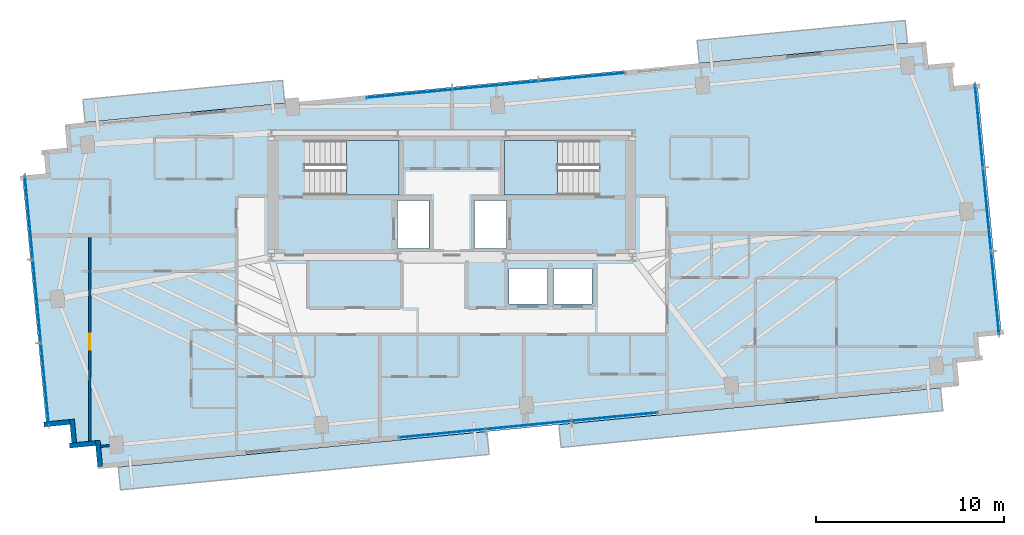
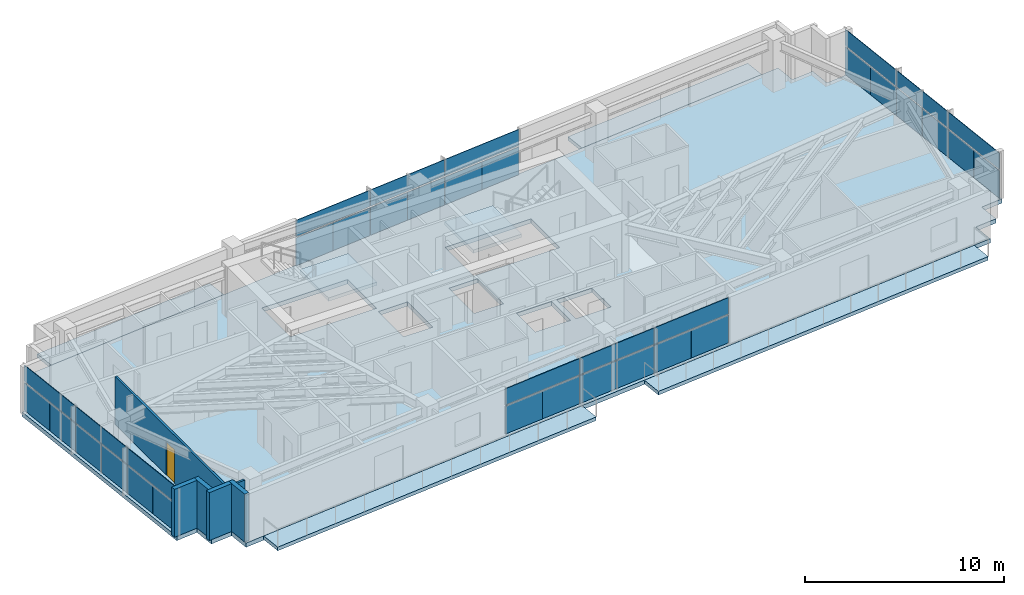
# One storey, part 12 of 18: 36 plates, 7 slabs, 6 walls, 1 door, 1 opening, 6 elements without a shape of their own.
"""IFC4 building model written with IfcOpenShell, lengths in metres."""

import ifcopenshell
import ifcopenshell.guid

model = None  # the IFC model being written
_history = None  # IfcOwnerHistory: only IFC2X3 demands one
_inside = {}  # id of a spatial element -> (the spatial element, [elements in it])
_under = {}  # id of a project, library or spatial element -> (it, [spatial elements below it])
_declared = {}  # id of a project -> (the project, [libraries it declares])
_typed = {}  # id of a type object -> (the type object, [elements of that type])
_made_of = {}  # id of a material, layer set ... -> (it, [elements and type objects made of it])


def new_model(schema):
    """Start an empty IFC model of exactly this schema.

    Asked for "IFC4X3", IfcOpenShell would pick the latest addendum, in which some entities
    have other attributes; the version numbers below select the first issue.
    IFC2X3 requires an IfcOwnerHistory on every rooted entity: one is made here for all.
    """
    global model, _history
    if schema == "IFC4X3":
        model = ifcopenshell.file(schema_version=(4, 3, 0, 0))
    else:
        model = ifcopenshell.file(schema=schema)
    _inside.clear()
    _under.clear()
    _declared.clear()
    _typed.clear()
    _made_of.clear()
    _history = None
    if model.schema == "IFC2X3":
        org = make("IfcOrganization", Name="unknown")
        user = make(
            "IfcPersonAndOrganization",
            ThePerson=make("IfcPerson", FamilyName="unknown"),
            TheOrganization=org,
        )
        app = make(
            "IfcApplication",
            ApplicationDeveloper=org,
            Version="unknown",
            ApplicationFullName="unknown",
            ApplicationIdentifier="unknown",
        )
        _history = make(
            "IfcOwnerHistory",
            OwningUser=user,
            OwningApplication=app,
            ChangeAction="ADDED",
            CreationDate=0,
        )
    return model


def make(cls, **values):
    """One entity of the class cls with the attributes given. An attribute that is None is left unset."""
    return model.create_entity(
        cls, **{name: value for name, value in values.items() if value is not None}
    )


def rooted(cls, **values):
    """An entity with a GlobalId (a new one), such as an element, a storey or a relation."""
    return make(cls, GlobalId=ifcopenshell.guid.new(), OwnerHistory=_history, **values)


def si_unit(unit_type, name, prefix=None):
    """IfcSIUnit, for example si_unit("LENGTHUNIT", "METRE", prefix="MILLI")."""
    return make("IfcSIUnit", UnitType=unit_type, Prefix=prefix, Name=name)


def assignment(units):
    """IfcUnitAssignment: the units of a project."""
    return None if units is None else make("IfcUnitAssignment", Units=units)


def point(xyz):
    """IfcCartesianPoint."""
    return None if xyz is None else make("IfcCartesianPoint", Coordinates=xyz)


def direction(xyz):
    """IfcDirection."""
    return None if xyz is None else make("IfcDirection", DirectionRatios=xyz)


def frame(location, z_axis=None, x_axis=None):
    """IfcAxis2Placement3D, a coordinate frame: its origin and axes. An axis left out is left unset."""
    return make(
        "IfcAxis2Placement3D",
        Location=point(location),
        Axis=direction(z_axis),
        RefDirection=direction(x_axis),
    )


def frame_2d(location, x_axis=None):
    """IfcAxis2Placement2D, a coordinate frame in the plane: its origin and x axis."""
    return make(
        "IfcAxis2Placement2D", Location=point(location), RefDirection=direction(x_axis)
    )


def origin():
    """The frame at (0, 0, 0) with its axes left unset."""
    return frame((0.0, 0.0, 0.0))


def origin_2d():
    """The frame at (0, 0) in the plane with its x axis left unset."""
    return frame_2d((0.0, 0.0))


def place(relative_to, where):
    """IfcLocalPlacement: puts the frame where relative to a parent placement (None: the world)."""
    return make(
        "IfcLocalPlacement", PlacementRelTo=relative_to, RelativePlacement=where
    )


def context(
    kind, dimensions, precision=None, world=None, true_north=None, identifier=None
):
    """IfcGeometricRepresentationContext, for example the 3D "Model" context."""
    return make(
        "IfcGeometricRepresentationContext",
        ContextIdentifier=identifier,
        ContextType=kind,
        CoordinateSpaceDimension=dimensions,
        Precision=precision,
        WorldCoordinateSystem=world,
        TrueNorth=true_north,
    )


def subcontext(parent, identifier, kind, view, scale=None):
    """IfcGeometricRepresentationSubContext, for example "Body" below "Model"."""
    return make(
        "IfcGeometricRepresentationSubContext",
        ContextIdentifier=identifier,
        ContextType=kind,
        ParentContext=parent,
        TargetScale=scale,
        TargetView=view,
    )


def project(units=None, contexts=None):
    """IfcProject with its units and contexts."""
    return rooted(
        "IfcProject",
        Name="project",
        RepresentationContexts=contexts,
        UnitsInContext=assignment(units),
    )


def spatial(cls, under=None, at=None, **own):
    """A site, building, storey or space (cls), placed at a placement, below another one or the project."""
    s = rooted(cls, ObjectPlacement=at, **own)
    if under is not None:
        _under.setdefault(under.id(), (under, []))[1].append(s)
    return s


def polyline(points):
    """IfcPolyline through the points."""
    return make("IfcPolyline", Points=[point(p) for p in points])


def profile(cls, at=None, kind="AREA", **sizes):
    """A parametric profile (cls). Its sizes go by their IFC names, for example OverallWidth=200.0."""
    return make(cls, ProfileType=kind, Position=at, **sizes)


def rectangle(**sizes):
    """IfcRectangleProfileDef."""
    return profile("IfcRectangleProfileDef", **sizes)


def outline(outer, holes=None, kind="AREA"):
    """IfcArbitraryClosedProfileDef: a profile drawn as a closed curve; with holes, ...WithVoids."""
    if holes is None:
        return make("IfcArbitraryClosedProfileDef", ProfileType=kind, OuterCurve=outer)
    return make(
        "IfcArbitraryProfileDefWithVoids",
        ProfileType=kind,
        OuterCurve=outer,
        InnerCurves=holes,
    )


def extrude(swept, where, along, depth):
    """IfcExtrudedAreaSolid: the profile swept, set in the frame where, extruded along a direction by depth."""
    return make(
        "IfcExtrudedAreaSolid",
        SweptArea=swept,
        Position=where,
        ExtrudedDirection=direction(along),
        Depth=depth,
    )


def shape(context_of_items, identifier, shape_type, items):
    """IfcShapeRepresentation: the items that make up one representation, for example the "Body"."""
    return make(
        "IfcShapeRepresentation",
        ContextOfItems=context_of_items,
        RepresentationIdentifier=identifier,
        RepresentationType=shape_type,
        Items=items,
    )


def source(mapping_origin, context_of_items, identifier, shape_type, items):
    """IfcRepresentationMap: a shape defined once, which mapped items show again and again."""
    return make(
        "IfcRepresentationMap",
        MappingOrigin=mapping_origin,
        MappedRepresentation=shape(context_of_items, identifier, shape_type, items),
    )


def transform(
    local_origin,
    x_axis=None,
    y_axis=None,
    z_axis=None,
    scale=None,
    scale2=None,
    scale3=None,
    uniform=True,
):
    """IfcCartesianTransformationOperator3D, or its non-uniform kind. x_axis, y_axis, z_axis: its Axis1, 2, 3."""
    if uniform:
        return make(
            "IfcCartesianTransformationOperator3D",
            Axis1=direction(x_axis),
            Axis2=direction(y_axis),
            LocalOrigin=point(local_origin),
            Scale=scale,
            Axis3=direction(z_axis),
        )
    return make(
        "IfcCartesianTransformationOperator3DnonUniform",
        Axis1=direction(x_axis),
        Axis2=direction(y_axis),
        LocalOrigin=point(local_origin),
        Scale=scale,
        Axis3=direction(z_axis),
        Scale2=scale2,
        Scale3=scale3,
    )


def mapped(mapping_source, mapping_target):
    """IfcMappedItem: shows the shape of a source again, moved by a transform."""
    return make(
        "IfcMappedItem", MappingSource=mapping_source, MappingTarget=mapping_target
    )


def material(Name=None, Category=None):
    """IfcMaterial."""
    return make("IfcMaterial", Name=Name, Category=Category)


def layer(
    of_material, thickness, ventilated=None, Name=None, Category=None, Priority=None
):
    """IfcMaterialLayer: one layer of a wall or slab, of a material (None: an air gap)."""
    return make(
        "IfcMaterialLayer",
        Material=of_material,
        LayerThickness=thickness,
        IsVentilated=ventilated,
        Name=Name,
        Category=Category,
        Priority=Priority,
    )


def layer_set(layers, Name=None):
    """IfcMaterialLayerSet."""
    return make("IfcMaterialLayerSet", MaterialLayers=layers, LayerSetName=Name)


def made_of(thing, what):
    """Note that an element or type object is made of a material, layer set ...; save() writes the relation."""
    if what is not None:
        _made_of.setdefault(what.id(), (what, []))[1].append(thing)
    return thing


def type_object(cls, material=None, **own):
    """A type object (cls), such as IfcWallType, which elements share."""
    return made_of(rooted(cls, **own), material)


def type_shapes(of_type, sources):
    """Give a type object the sources (RepresentationMaps) that its elements show as mapped items."""
    of_type.RepresentationMaps = sources


def element(
    cls,
    number,
    at=None,
    inside=None,
    cuts=None,
    type_object=None,
    material=None,
    context=None,
    identifier="Body",
    shape_type=None,
    held_by="IfcProductDefinitionShape",
    body=None,
    shapes=None,
    **own,
):
    """One element of the class cls, such as IfcWall. Its Tag is "e" and its number.

    at: its placement. inside: the storey or other place that contains it. cuts: it is an
    opening in that element (IfcRelVoidsElement). A single representation is given by context,
    identifier, shape_type and body (its items); several are given by shapes. held_by: the class
    of the entity that holds the representations. save() writes the other relations.
    """
    e = rooted(cls, Tag="e%d" % number, ObjectPlacement=at, **own)
    if body is not None:
        shapes = [shape(context, identifier, shape_type, body)]
    if shapes is not None:
        e.Representation = make(held_by, Representations=shapes)
    if inside is not None:
        _inside.setdefault(inside.id(), (inside, []))[1].append(e)
    if cuts is not None:
        rooted(
            "IfcRelVoidsElement", RelatingBuildingElement=cuts, RelatedOpeningElement=e
        )
    if type_object is not None:
        _typed.setdefault(type_object.id(), (type_object, []))[1].append(e)
    return made_of(e, material)


def fill(opening, filler):
    """IfcRelFillsElement: the door or window that sits in an opening."""
    return rooted(
        "IfcRelFillsElement",
        RelatingOpeningElement=opening,
        RelatedBuildingElement=filler,
    )


def aggregate(whole, parts):
    """IfcRelAggregates: a whole, such as a stair, and the parts it consists of."""
    return rooted("IfcRelAggregates", RelatingObject=whole, RelatedObjects=parts)


def save(model, path):
    """Write the relations noted so far, then the file.

    IfcRelAggregates (storeys below a building ...), IfcRelContainedInSpatialStructure (elements
    in a storey), IfcRelDefinesByType, IfcRelAssociatesMaterial and IfcRelDeclares: one each for
    every whole, place, type object, material and project.
    """
    for whole, parts in _under.values():
        aggregate(whole, parts)
    for where, things in _inside.values():
        rooted(
            "IfcRelContainedInSpatialStructure",
            RelatedElements=things,
            RelatingStructure=where,
        )
    for kind, things in _typed.values():
        rooted("IfcRelDefinesByType", RelatedObjects=things, RelatingType=kind)
    for what, things in _made_of.values():
        rooted("IfcRelAssociatesMaterial", RelatedObjects=things, RelatingMaterial=what)
    for by, libraries in _declared.values():
        rooted("IfcRelDeclares", RelatingContext=by, RelatedDefinitions=libraries)
    model.write(path)


model = new_model("IFC4")

# Units and contexts
model_context = context("Model", 3, precision=1e-05, world=origin(), true_north=direction((0.0, 1.0)))
body_context = subcontext(model_context, "Body", "Model", "MODEL_VIEW")
ifc_project = project(units=[si_unit("LENGTHUNIT", "METRE"), si_unit("AREAUNIT", "SQUARE_METRE"), si_unit("VOLUMEUNIT", "CUBIC_METRE"), si_unit("PLANEANGLEUNIT", "RADIAN"), si_unit("MASSUNIT", "GRAM", prefix="KILO")], contexts=[model_context])

# Site, building, storey
site_placement = place(None, origin())
site = spatial("IfcSite", under=ifc_project, at=site_placement, CompositionType="ELEMENT")
building_placement = place(site_placement, origin())
building = spatial("IfcBuilding", under=site, at=building_placement, Name="Astriad Promenade Condominiums", CompositionType="ELEMENT")
storey_placement = place(building_placement, frame((0.0, 0.0, 205.0)))
storey = spatial("IfcBuildingStorey", under=building, at=storey_placement, Name="L59", CompositionType="ELEMENT", Elevation=205.0)

# Slab
ifc_material_1 = material(Name="Concrete C50/60", Category="concrete")
ifc_layer_1 = layer(ifc_material_1, 0.260009765625)
ifc_layer_set_1 = layer_set([ifc_layer_1], Name="Concrete C50/60")
slab_type_1 = type_object("IfcSlabType", Name="CONCRETE TOWER FLOOR SLAB 260", PredefinedType="FLOOR", material=ifc_layer_set_1)
slab_1_placement = place(storey_placement, frame((0.0, 0.0, -0.260009765625)))
element("IfcSlab", 1, at=slab_1_placement, inside=storey, type_object=slab_type_1, Name="Structural Floor Slab (L59)", PredefinedType="FLOOR", context=body_context, shape_type="SweptSolid", body=[
    extrude(outline(polyline([(17.187744140625, 6.137939453125), (62.975830078125, 10.546875), (62.856201171875, 11.791015625), (64.100341796875, 11.910888671875), (63.98046875, 13.155029296875), (65.224853515625, 13.27490234375), (63.9404296875, 26.61328125), (62.6962890625, 26.493408203125), (62.576416015625, 27.73779296875), (61.33203125, 27.617919921875), (61.21240234375, 28.862060546875), (15.424072265625, 24.453125), (15.5439453125, 23.208984375), (14.2998046875, 23.089111328125), (14.41943359375, 21.844970703125), (13.17529296875, 21.72509765625), (14.459716796875, 8.38671875), (15.703857421875, 8.506591796875), (15.823486328125, 7.26220703125), (17.06787109375, 7.382080078125), (17.187744140625, 6.137939453125)]), holes=[polyline([(28.175048828125, 20.699951171875), (33.175048828125, 20.699951171875), (33.175048828125, 23.60009765625), (28.175048828125, 23.60009765625), (28.175048828125, 20.699951171875)]), polyline([(38.824951171875, 20.699951171875), (43.824951171875, 20.699951171875), (43.824951171875, 23.60009765625), (38.824951171875, 23.60009765625), (38.824951171875, 20.699951171875)]), polyline([(33.10009765625, 17.85009765625), (34.800048828125, 17.85009765625), (34.800048828125, 20.39990234375), (33.10009765625, 20.39990234375), (33.10009765625, 17.85009765625)]), polyline([(37.199951171875, 17.85009765625), (38.89990234375, 17.85009765625), (38.89990234375, 20.39990234375), (37.199951171875, 20.39990234375), (37.199951171875, 17.85009765625)]), polyline([(39.050048828125, 14.89990234375), (41.10009765625, 14.89990234375), (41.10009765625, 16.800048828125), (39.050048828125, 16.800048828125), (39.050048828125, 14.89990234375)]), polyline([(41.39990234375, 14.89990234375), (43.449951171875, 14.89990234375), (43.449951171875, 16.800048828125), (41.39990234375, 16.800048828125), (41.39990234375, 14.89990234375)])]), origin(), (0.0, 0.0, 1.0), 0.260009765625),
])

# Stair, slab
stair_type = type_object("IfcStairType", Name="STR-CORE-1350", PredefinedType="HALF_TURN_STAIR", material=ifc_material_1)
stair_1_placement = place(storey_placement, origin())
stair_1 = element("IfcStair", 2, at=stair_1_placement, inside=storey, type_object=stair_type, Name="L59 Enclosed Core Exit Stair ST-1", PredefinedType="HALF_TURN_STAIR")
ifc_layer_2 = layer(ifc_material_1, 0.219970703125)
ifc_layer_set_2 = layer_set([ifc_layer_2], Name="Concrete C50/60")
slab_type_2 = type_object("IfcSlabType", Name="SLB-LANDING-220", PredefinedType="LANDING", material=ifc_layer_set_2)
slab_2_placement = place(storey_placement, frame((0.0, 0.0, 1.39990234375)))
slab_2 = element("IfcSlab", 3, at=slab_2_placement, type_object=slab_type_2, Name="ST-1 landing 1", PredefinedType="LANDING", context=body_context, shape_type="SweptSolid", body=[
    extrude(outline(polyline([(30.389892578125, 20.699951171875), (33.199951171875, 20.699951171875), (33.199951171875, 23.60009765625), (30.389892578125, 23.60009765625), (30.389892578125, 20.699951171875)])), origin(), (0.0, 0.0, 1.0), 0.2001953125),
])
aggregate(stair_1, [slab_2])

stair_2_placement = place(storey_placement, origin())
stair_2 = element("IfcStair", 4, at=stair_2_placement, inside=storey, type_object=stair_type, Name="L59 Enclosed Core Exit Stair ST-2", PredefinedType="HALF_TURN_STAIR")
slab_3_placement = place(storey_placement, frame((0.0, 0.0, 1.39990234375)))
slab_3 = element("IfcSlab", 5, at=slab_3_placement, type_object=slab_type_2, Name="ST-2 landing 1", PredefinedType="LANDING", context=body_context, shape_type="SweptSolid", body=[
    extrude(outline(polyline([(41.610107421875, 23.60009765625), (38.800048828125, 23.60009765625), (38.800048828125, 20.699951171875), (41.610107421875, 20.699951171875), (41.610107421875, 23.60009765625)])), origin(), (0.0, 0.0, 1.0), 0.2001953125),
])
aggregate(stair_2, [slab_3])

# Slabs
ifc_material_2 = material(Name="Precast concrete C50/60", Category="concrete")
ifc_layer_3 = layer(ifc_material_2, 0.219970703125)
ifc_layer_set_3 = layer_set([ifc_layer_3], Name="Precast concrete C50/60")
slab_type_3 = type_object("IfcSlabType", Name="WHITE PRECAST CONCRETE WAVE BALCONY SLAB 220", PredefinedType="FLOOR", material=ifc_layer_set_3)
slab_4_placement = place(storey_placement, frame((0.0, 0.0, -0.219970703125)))
element("IfcSlab", 6, at=slab_4_placement, inside=storey, type_object=slab_type_3, Name="White Precast Wave Balcony Slab BAL-L59-SW", PredefinedType="FLOOR", context=body_context, shape_type="SweptSolid", body=[
    extrude(outline(polyline([(37.98193359375, 6.91455078125), (18.388671875, 5.02783203125), (18.27197265625, 6.240234375), (37.865234375, 8.126953125), (37.98193359375, 6.91455078125)])), origin(), (0.0, 0.0, 1.0), 0.219970703125),
])
slab_5_placement = place(storey_placement, frame((0.0, 0.0, -0.219970703125)))
element("IfcSlab", 7, at=slab_5_placement, inside=storey, type_object=slab_type_3, Name="White Precast Wave Balcony Slab BAL-L59-SE", PredefinedType="FLOOR", context=body_context, shape_type="SweptSolid", body=[
    extrude(outline(polyline([(62.099365234375, 9.23681640625), (41.809326171875, 7.283203125), (41.6923828125, 8.495361328125), (61.982666015625, 10.44921875), (62.099365234375, 9.23681640625)])), origin(), (0.0, 0.0, 1.0), 0.219970703125),
])
slab_6_placement = place(storey_placement, frame((0.0, 0.0, -0.219970703125)))
element("IfcSlab", 8, at=slab_6_placement, inside=storey, type_object=slab_type_3, Name="White Precast Wave Balcony Slab BAL-L59-NW", PredefinedType="FLOOR", context=body_context, shape_type="SweptSolid", body=[
    extrude(outline(polyline([(16.508056640625, 24.5576171875), (27.1201171875, 25.579345703125), (27.003173828125, 26.793701171875), (16.39111328125, 25.77197265625), (16.508056640625, 24.5576171875)])), origin(), (0.0, 0.0, 1.0), 0.219970703125),
])
slab_7_placement = place(storey_placement, frame((0.0, 0.0, -0.219970703125)))
element("IfcSlab", 9, at=slab_7_placement, inside=storey, type_object=slab_type_3, Name="White Precast Wave Balcony Slab BAL-L59-NE", PredefinedType="FLOOR", context=body_context, shape_type="SweptSolid", body=[
    extrude(outline(polyline([(49.041259765625, 28.915771484375), (60.10205078125, 29.980712890625), (60.21875, 28.768310546875), (49.157958984375, 27.703369140625), (49.041259765625, 28.915771484375)])), origin(), (0.0, 0.0, 1.0), 0.219970703125),
])

# Curtain wall, plates
ifc_material_3 = material(Name="Anodised aluminium Black Dark Glass Unitised", Category="aluminium")
curtain_wall_type = type_object("IfcCurtainWallType", Name="CW-B34-DARK", PredefinedType="USERDEFINED", material=ifc_material_3)
curtain_wall_1_placement = place(storey_placement, origin())
curtain_wall_1 = element("IfcCurtainWall", 10, at=curtain_wall_1_placement, inside=storey, type_object=curtain_wall_type, Name="CW-L59-W", ObjectType="UNITISED_CURTAIN_WALL", PredefinedType="USERDEFINED")
ifc_material_4 = material(Name="Dark Tinted Low-E Laminated Glass", Category="glass")
ifc_layer_4 = layer(ifc_material_4, 0.035888671875)
ifc_layer_set_4 = layer_set([ifc_layer_4], Name="Dark Tinted Low-E Laminated Glass")
plate_type = type_object("IfcPlateType", Name="PNL-DARK-GLASS-36", PredefinedType="CURTAIN_PANEL", material=ifc_layer_set_4)
shared_shape_1 = source(origin(), body_context, "Body", "SweptSolid", [
    extrude(rectangle(XDim=2.22119140625, YDim=0.035888671875, at=origin_2d()), origin(), (0.0, 0.0, 1.0), 1.702880859375),
])
plate_1_placement = place(storey_placement, frame((14.48193359375, 9.5107421875, 0.080078125), z_axis=(0.0, 0.0, 1.0), x_axis=(-0.09584575252, 0.995396198367, 0.0)))
plate_1 = element("IfcPlate", 11, at=plate_1_placement, type_object=plate_type, Name="CW-L59-W-PNL-00-VL", PredefinedType="CURTAIN_PANEL", context=body_context, shape_type="MappedRepresentation", body=[
    mapped(shared_shape_1, transform((0.0, 0.0, 0.0), scale=1.0)),
])
plate_2_placement = place(storey_placement, frame((14.267822265625, 11.73388671875, 0.080078125), z_axis=(0.0, 0.0, 1.0), x_axis=(-0.09584575252, 0.995396198367, 0.0)))
plate_2 = element("IfcPlate", 12, at=plate_2_placement, type_object=plate_type, Name="CW-L59-W-PNL-00-VR", PredefinedType="CURTAIN_PANEL", context=body_context, shape_type="MappedRepresentation", body=[
    mapped(shared_shape_1, transform((0.0, 0.0, 0.0), scale=1.0)),
])
plate_3_placement = place(storey_placement, frame((14.053955078125, 13.956787109375, 0.080078125), z_axis=(0.0, 0.0, 1.0), x_axis=(-0.09584575252, 0.995396198367, 0.0)))
plate_3 = element("IfcPlate", 13, at=plate_3_placement, type_object=plate_type, Name="CW-L59-W-PNL-01-VL", PredefinedType="CURTAIN_PANEL", context=body_context, shape_type="MappedRepresentation", body=[
    mapped(shared_shape_1, transform((0.0, 0.0, 0.0), scale=1.0)),
])
plate_4_placement = place(storey_placement, frame((13.839599609375, 16.179931640625, 0.080078125), z_axis=(0.0, 0.0, 1.0), x_axis=(-0.09584575252, 0.995396198367, 0.0)))
plate_4 = element("IfcPlate", 14, at=plate_4_placement, type_object=plate_type, Name="CW-L59-W-PNL-01-VR", PredefinedType="CURTAIN_PANEL", context=body_context, shape_type="MappedRepresentation", body=[
    mapped(shared_shape_1, transform((0.0, 0.0, 0.0), scale=1.0)),
])
plate_5_placement = place(storey_placement, frame((13.625732421875, 18.403076171875, 0.080078125), z_axis=(0.0, 0.0, 1.0), x_axis=(-0.09584575252, 0.995396198367, 0.0)))
plate_5 = element("IfcPlate", 15, at=plate_5_placement, type_object=plate_type, Name="CW-L59-W-PNL-02-VL", PredefinedType="CURTAIN_PANEL", context=body_context, shape_type="MappedRepresentation", body=[
    mapped(shared_shape_1, transform((0.0, 0.0, 0.0), scale=1.0)),
])
plate_6_placement = place(storey_placement, frame((13.41162109375, 20.626220703125, 0.080078125), z_axis=(0.0, 0.0, 1.0), x_axis=(-0.09584575252, 0.995396198367, 0.0)))
plate_6 = element("IfcPlate", 16, at=plate_6_placement, type_object=plate_type, Name="CW-L59-W-PNL-02-VR", PredefinedType="CURTAIN_PANEL", context=body_context, shape_type="MappedRepresentation", body=[
    mapped(shared_shape_1, transform((0.0, 0.0, 0.0), scale=1.0)),
])

curtain_wall_2_placement = place(storey_placement, origin())
curtain_wall_2 = element("IfcCurtainWall", 17, at=curtain_wall_2_placement, inside=storey, type_object=curtain_wall_type, Name="CW-L59-E", ObjectType="UNITISED_CURTAIN_WALL", PredefinedType="USERDEFINED")
plate_7_placement = place(storey_placement, frame((63.91796875, 25.4892578125, 0.080078125), z_axis=(0.0, 0.0, 1.0), x_axis=(0.09584575252, -0.995396198367, 0.0)))
plate_7 = element("IfcPlate", 18, at=plate_7_placement, type_object=plate_type, Name="CW-L59-E-PNL-00-VL", PredefinedType="CURTAIN_PANEL", context=body_context, shape_type="MappedRepresentation", body=[
    mapped(shared_shape_1, transform((0.0, 0.0, 0.0), scale=1.0)),
])
plate_8_placement = place(storey_placement, frame((64.132080078125, 23.26611328125, 0.080078125), z_axis=(0.0, 0.0, 1.0), x_axis=(0.09584575252, -0.995396198367, 0.0)))
plate_8 = element("IfcPlate", 19, at=plate_8_placement, type_object=plate_type, Name="CW-L59-E-PNL-00-VR", PredefinedType="CURTAIN_PANEL", context=body_context, shape_type="MappedRepresentation", body=[
    mapped(shared_shape_1, transform((0.0, 0.0, 0.0), scale=1.0)),
])
plate_9_placement = place(storey_placement, frame((64.34619140625, 21.043212890625, 0.080078125), z_axis=(0.0, 0.0, 1.0), x_axis=(0.09584575252, -0.995396198367, 0.0)))
plate_9 = element("IfcPlate", 20, at=plate_9_placement, type_object=plate_type, Name="CW-L59-E-PNL-01-VL", PredefinedType="CURTAIN_PANEL", context=body_context, shape_type="MappedRepresentation", body=[
    mapped(shared_shape_1, transform((0.0, 0.0, 0.0), scale=1.0)),
])
plate_10_placement = place(storey_placement, frame((64.560302734375, 18.820068359375, 0.080078125), z_axis=(0.0, 0.0, 1.0), x_axis=(0.09584575252, -0.995396198367, 0.0)))
plate_10 = element("IfcPlate", 21, at=plate_10_placement, type_object=plate_type, Name="CW-L59-E-PNL-01-VR", PredefinedType="CURTAIN_PANEL", context=body_context, shape_type="MappedRepresentation", body=[
    mapped(shared_shape_1, transform((0.0, 0.0, 0.0), scale=1.0)),
])
plate_11_placement = place(storey_placement, frame((64.7744140625, 16.596923828125, 0.080078125), z_axis=(0.0, 0.0, 1.0), x_axis=(0.09584575252, -0.995396198367, 0.0)))
plate_11 = element("IfcPlate", 22, at=plate_11_placement, type_object=plate_type, Name="CW-L59-E-PNL-02-VL", PredefinedType="CURTAIN_PANEL", context=body_context, shape_type="MappedRepresentation", body=[
    mapped(shared_shape_1, transform((0.0, 0.0, 0.0), scale=1.0)),
])
plate_12_placement = place(storey_placement, frame((64.98828125, 14.373779296875, 0.080078125), z_axis=(0.0, 0.0, 1.0), x_axis=(0.09584575252, -0.995396198367, 0.0)))
plate_12 = element("IfcPlate", 23, at=plate_12_placement, type_object=plate_type, Name="CW-L59-E-PNL-02-VR", PredefinedType="CURTAIN_PANEL", context=body_context, shape_type="MappedRepresentation", body=[
    mapped(shared_shape_1, transform((0.0, 0.0, 0.0), scale=1.0)),
])

# Plate
shared_shape_2 = source(origin(), body_context, "Body", "SweptSolid", [
    extrude(rectangle(XDim=4.45458984375, YDim=0.035888671875, at=origin_2d()), origin(), (0.0, 0.0, 1.0), 0.997314453125),
])
plate_13_placement = place(storey_placement, frame((14.375, 10.622314453125, 1.86279296875), z_axis=(0.0, 0.0, 1.0), x_axis=(-0.09584575252, 0.995396198367, 0.0)))
plate_13 = element("IfcPlate", 24, at=plate_13_placement, type_object=plate_type, Name="CW-L59-W-PNL-00-S", PredefinedType="CURTAIN_PANEL", context=body_context, shape_type="MappedRepresentation", body=[
    mapped(shared_shape_2, transform((0.0, 0.0, 0.0), scale=1.0)),
])

plate_14_placement = place(storey_placement, frame((13.94677734375, 15.068359375, 1.86279296875), z_axis=(0.0, 0.0, 1.0), x_axis=(-0.09584575252, 0.995396198367, 0.0)))
plate_14 = element("IfcPlate", 25, at=plate_14_placement, type_object=plate_type, Name="CW-L59-W-PNL-01-S", PredefinedType="CURTAIN_PANEL", context=body_context, shape_type="MappedRepresentation", body=[
    mapped(shared_shape_2, transform((0.0, 0.0, 0.0), scale=1.0)),
])

plate_15_placement = place(storey_placement, frame((13.518798828125, 19.514404296875, 1.86279296875), z_axis=(0.0, 0.0, 1.0), x_axis=(-0.09584575252, 0.995396198367, 0.0)))
plate_15 = element("IfcPlate", 26, at=plate_15_placement, type_object=plate_type, Name="CW-L59-W-PNL-02-S", PredefinedType="CURTAIN_PANEL", context=body_context, shape_type="MappedRepresentation", body=[
    mapped(shared_shape_2, transform((0.0, 0.0, 0.0), scale=1.0)),
])

aggregate(curtain_wall_1, [plate_1, plate_2, plate_13, plate_3, plate_4, plate_14, plate_5, plate_6, plate_15])

plate_16_placement = place(storey_placement, frame((64.02490234375, 24.377685546875, 1.86279296875), z_axis=(0.0, 0.0, 1.0), x_axis=(0.09584575252, -0.995396198367, 0.0)))
plate_16 = element("IfcPlate", 27, at=plate_16_placement, type_object=plate_type, Name="CW-L59-E-PNL-00-S", PredefinedType="CURTAIN_PANEL", context=body_context, shape_type="MappedRepresentation", body=[
    mapped(shared_shape_2, transform((0.0, 0.0, 0.0), scale=1.0)),
])

plate_17_placement = place(storey_placement, frame((64.453125, 19.931640625, 1.86279296875), z_axis=(0.0, 0.0, 1.0), x_axis=(0.09584575252, -0.995396198367, 0.0)))
plate_17 = element("IfcPlate", 28, at=plate_17_placement, type_object=plate_type, Name="CW-L59-E-PNL-01-S", PredefinedType="CURTAIN_PANEL", context=body_context, shape_type="MappedRepresentation", body=[
    mapped(shared_shape_2, transform((0.0, 0.0, 0.0), scale=1.0)),
])

plate_18_placement = place(storey_placement, frame((64.88134765625, 15.485595703125, 1.86279296875), z_axis=(0.0, 0.0, 1.0), x_axis=(0.09584575252, -0.995396198367, 0.0)))
plate_18 = element("IfcPlate", 29, at=plate_18_placement, type_object=plate_type, Name="CW-L59-E-PNL-02-S", PredefinedType="CURTAIN_PANEL", context=body_context, shape_type="MappedRepresentation", body=[
    mapped(shared_shape_2, transform((0.0, 0.0, 0.0), scale=1.0)),
])

aggregate(curtain_wall_2, [plate_7, plate_8, plate_16, plate_9, plate_10, plate_17, plate_11, plate_12, plate_18])

# Curtain wall, plates
curtain_wall_3_placement = place(storey_placement, origin())
curtain_wall_3 = element("IfcCurtainWall", 30, at=curtain_wall_3_placement, inside=storey, type_object=curtain_wall_type, Name="CW-L59-N", ObjectType="UNITISED_CURTAIN_WALL", PredefinedType="USERDEFINED")
shared_shape_3 = source(origin(), body_context, "Body", "SweptSolid", [
    extrude(rectangle(XDim=2.2880859375, YDim=0.035888671875, at=origin_2d()), origin(), (0.0, 0.0, 1.0), 1.702880859375),
])
plate_19_placement = place(storey_placement, frame((32.607177734375, 25.97705078125, 0.080078125), z_axis=(0.0, 0.0, 1.0), x_axis=(0.995396198367, 0.09584575252, 0.0)))
plate_19 = element("IfcPlate", 31, at=plate_19_placement, type_object=plate_type, Name="CW-L59-N-PNL-00-VL", PredefinedType="CURTAIN_PANEL", context=body_context, shape_type="MappedRepresentation", body=[
    mapped(shared_shape_3, transform((0.0, 0.0, 0.0), scale=1.0)),
])
plate_20_placement = place(storey_placement, frame((34.896484375, 26.197509765625, 0.080078125), z_axis=(0.0, 0.0, 1.0), x_axis=(0.995396198367, 0.09584575252, 0.0)))
plate_20 = element("IfcPlate", 32, at=plate_20_placement, type_object=plate_type, Name="CW-L59-N-PNL-00-VR", PredefinedType="CURTAIN_PANEL", context=body_context, shape_type="MappedRepresentation", body=[
    mapped(shared_shape_3, transform((0.0, 0.0, 0.0), scale=1.0)),
])
plate_21_placement = place(storey_placement, frame((37.18603515625, 26.41796875, 0.080078125), z_axis=(0.0, 0.0, 1.0), x_axis=(0.995396198367, 0.09584575252, 0.0)))
plate_21 = element("IfcPlate", 33, at=plate_21_placement, type_object=plate_type, Name="CW-L59-N-PNL-01-VL", PredefinedType="CURTAIN_PANEL", context=body_context, shape_type="MappedRepresentation", body=[
    mapped(shared_shape_3, transform((0.0, 0.0, 0.0), scale=1.0)),
])
plate_22_placement = place(storey_placement, frame((39.475341796875, 26.638427734375, 0.080078125), z_axis=(0.0, 0.0, 1.0), x_axis=(0.995396198367, 0.09584575252, 0.0)))
plate_22 = element("IfcPlate", 34, at=plate_22_placement, type_object=plate_type, Name="CW-L59-N-PNL-01-VR", PredefinedType="CURTAIN_PANEL", context=body_context, shape_type="MappedRepresentation", body=[
    mapped(shared_shape_3, transform((0.0, 0.0, 0.0), scale=1.0)),
])
plate_23_placement = place(storey_placement, frame((41.764892578125, 26.85888671875, 0.080078125), z_axis=(0.0, 0.0, 1.0), x_axis=(0.995396198367, 0.09584575252, 0.0)))
plate_23 = element("IfcPlate", 35, at=plate_23_placement, type_object=plate_type, Name="CW-L59-N-PNL-02-VL", PredefinedType="CURTAIN_PANEL", context=body_context, shape_type="MappedRepresentation", body=[
    mapped(shared_shape_3, transform((0.0, 0.0, 0.0), scale=1.0)),
])
plate_24_placement = place(storey_placement, frame((44.05419921875, 27.079345703125, 0.080078125), z_axis=(0.0, 0.0, 1.0), x_axis=(0.995396198367, 0.09584575252, 0.0)))
plate_24 = element("IfcPlate", 36, at=plate_24_placement, type_object=plate_type, Name="CW-L59-N-PNL-02-VR", PredefinedType="CURTAIN_PANEL", context=body_context, shape_type="MappedRepresentation", body=[
    mapped(shared_shape_3, transform((0.0, 0.0, 0.0), scale=1.0)),
])

curtain_wall_4_placement = place(storey_placement, origin())
curtain_wall_4 = element("IfcCurtainWall", 37, at=curtain_wall_4_placement, inside=storey, type_object=curtain_wall_type, Name="CW-L59-S", ObjectType="UNITISED_CURTAIN_WALL", PredefinedType="USERDEFINED")
plate_25_placement = place(storey_placement, frame((45.792724609375, 9.02294921875, 0.080078125), z_axis=(0.0, 0.0, 1.0), x_axis=(-0.995396198367, -0.09584575252, 0.0)))
plate_25 = element("IfcPlate", 38, at=plate_25_placement, type_object=plate_type, Name="CW-L59-S-PNL-00-VL", PredefinedType="CURTAIN_PANEL", context=body_context, shape_type="MappedRepresentation", body=[
    mapped(shared_shape_3, transform((0.0, 0.0, 0.0), scale=1.0)),
])
plate_26_placement = place(storey_placement, frame((43.50341796875, 8.802490234375, 0.080078125), z_axis=(0.0, 0.0, 1.0), x_axis=(-0.995396198367, -0.09584575252, 0.0)))
plate_26 = element("IfcPlate", 39, at=plate_26_placement, type_object=plate_type, Name="CW-L59-S-PNL-00-VR", PredefinedType="CURTAIN_PANEL", context=body_context, shape_type="MappedRepresentation", body=[
    mapped(shared_shape_3, transform((0.0, 0.0, 0.0), scale=1.0)),
])
plate_27_placement = place(storey_placement, frame((41.214111328125, 8.58203125, 0.080078125), z_axis=(0.0, 0.0, 1.0), x_axis=(-0.995396198367, -0.09584575252, 0.0)))
plate_27 = element("IfcPlate", 40, at=plate_27_placement, type_object=plate_type, Name="CW-L59-S-PNL-01-VL", PredefinedType="CURTAIN_PANEL", context=body_context, shape_type="MappedRepresentation", body=[
    mapped(shared_shape_3, transform((0.0, 0.0, 0.0), scale=1.0)),
])
plate_28_placement = place(storey_placement, frame((38.924560546875, 8.361572265625, 0.080078125), z_axis=(0.0, 0.0, 1.0), x_axis=(-0.995396198367, -0.09584575252, 0.0)))
plate_28 = element("IfcPlate", 41, at=plate_28_placement, type_object=plate_type, Name="CW-L59-S-PNL-01-VR", PredefinedType="CURTAIN_PANEL", context=body_context, shape_type="MappedRepresentation", body=[
    mapped(shared_shape_3, transform((0.0, 0.0, 0.0), scale=1.0)),
])
plate_29_placement = place(storey_placement, frame((36.63525390625, 8.14111328125, 0.080078125), z_axis=(0.0, 0.0, 1.0), x_axis=(-0.995396198367, -0.09584575252, 0.0)))
plate_29 = element("IfcPlate", 42, at=plate_29_placement, type_object=plate_type, Name="CW-L59-S-PNL-02-VL", PredefinedType="CURTAIN_PANEL", context=body_context, shape_type="MappedRepresentation", body=[
    mapped(shared_shape_3, transform((0.0, 0.0, 0.0), scale=1.0)),
])
plate_30_placement = place(storey_placement, frame((34.345703125, 7.920654296875, 0.080078125), z_axis=(0.0, 0.0, 1.0), x_axis=(-0.995396198367, -0.09584575252, 0.0)))
plate_30 = element("IfcPlate", 43, at=plate_30_placement, type_object=plate_type, Name="CW-L59-S-PNL-02-VR", PredefinedType="CURTAIN_PANEL", context=body_context, shape_type="MappedRepresentation", body=[
    mapped(shared_shape_3, transform((0.0, 0.0, 0.0), scale=1.0)),
])

# Plate
shared_shape_4 = source(origin(), body_context, "Body", "SweptSolid", [
    extrude(rectangle(XDim=4.587890625, YDim=0.035888671875, at=origin_2d()), origin(), (0.0, 0.0, 1.0), 0.997314453125),
])
type_shapes(plate_type, [shared_shape_1, shared_shape_2, shared_shape_3, shared_shape_4])
plate_31_placement = place(storey_placement, frame((33.751953125, 26.08740234375, 1.86279296875), z_axis=(0.0, 0.0, 1.0), x_axis=(0.995396198367, 0.09584575252, 0.0)))
plate_31 = element("IfcPlate", 44, at=plate_31_placement, type_object=plate_type, Name="CW-L59-N-PNL-00-S", PredefinedType="CURTAIN_PANEL", context=body_context, shape_type="MappedRepresentation", body=[
    mapped(shared_shape_4, transform((0.0, 0.0, 0.0), scale=1.0)),
])

plate_32_placement = place(storey_placement, frame((38.330810546875, 26.5283203125, 1.86279296875), z_axis=(0.0, 0.0, 1.0), x_axis=(0.995396198367, 0.09584575252, 0.0)))
plate_32 = element("IfcPlate", 45, at=plate_32_placement, type_object=plate_type, Name="CW-L59-N-PNL-01-S", PredefinedType="CURTAIN_PANEL", context=body_context, shape_type="MappedRepresentation", body=[
    mapped(shared_shape_4, transform((0.0, 0.0, 0.0), scale=1.0)),
])

plate_33_placement = place(storey_placement, frame((42.909423828125, 26.968994140625, 1.86279296875), z_axis=(0.0, 0.0, 1.0), x_axis=(0.995396198367, 0.09584575252, 0.0)))
plate_33 = element("IfcPlate", 46, at=plate_33_placement, type_object=plate_type, Name="CW-L59-N-PNL-02-S", PredefinedType="CURTAIN_PANEL", context=body_context, shape_type="MappedRepresentation", body=[
    mapped(shared_shape_4, transform((0.0, 0.0, 0.0), scale=1.0)),
])

aggregate(curtain_wall_3, [plate_19, plate_20, plate_31, plate_21, plate_22, plate_32, plate_23, plate_24, plate_33])

plate_34_placement = place(storey_placement, frame((44.648193359375, 8.91259765625, 1.86279296875), z_axis=(0.0, 0.0, 1.0), x_axis=(-0.995396198367, -0.09584575252, 0.0)))
plate_34 = element("IfcPlate", 47, at=plate_34_placement, type_object=plate_type, Name="CW-L59-S-PNL-00-S", PredefinedType="CURTAIN_PANEL", context=body_context, shape_type="MappedRepresentation", body=[
    mapped(shared_shape_4, transform((0.0, 0.0, 0.0), scale=1.0)),
])

plate_35_placement = place(storey_placement, frame((40.0693359375, 8.4716796875, 1.86279296875), z_axis=(0.0, 0.0, 1.0), x_axis=(-0.995396198367, -0.09584575252, 0.0)))
plate_35 = element("IfcPlate", 48, at=plate_35_placement, type_object=plate_type, Name="CW-L59-S-PNL-01-S", PredefinedType="CURTAIN_PANEL", context=body_context, shape_type="MappedRepresentation", body=[
    mapped(shared_shape_4, transform((0.0, 0.0, 0.0), scale=1.0)),
])

plate_36_placement = place(storey_placement, frame((35.490478515625, 8.031005859375, 1.86279296875), z_axis=(0.0, 0.0, 1.0), x_axis=(-0.995396198367, -0.09584575252, 0.0)))
plate_36 = element("IfcPlate", 49, at=plate_36_placement, type_object=plate_type, Name="CW-L59-S-PNL-02-S", PredefinedType="CURTAIN_PANEL", context=body_context, shape_type="MappedRepresentation", body=[
    mapped(shared_shape_4, transform((0.0, 0.0, 0.0), scale=1.0)),
])

aggregate(curtain_wall_4, [plate_25, plate_26, plate_34, plate_27, plate_28, plate_35, plate_29, plate_30, plate_36])

# Walls
ifc_layer_5 = layer(ifc_material_2, 0.260009765625)
ifc_layer_set_5 = layer_set([ifc_layer_5], Name="Precast concrete C50/60")
wall_type_1 = type_object("IfcWallType", Name="WALL-EXT-TWR-260", PredefinedType="STANDARD", material=ifc_layer_set_5)
wall_1_placement = place(storey_placement, frame((17.0703125, 7.512939453125, 0.0), z_axis=(0.0, 0.0, 1.0), x_axis=(-0.995391056452, -0.09589913835, 0.0)))
element("IfcWall", 50, at=wall_1_placement, inside=storey, type_object=wall_type_1, Name="W-SER-L59-00", PredefinedType="STANDARD", context=body_context, shape_type="SweptSolid", body=[
    extrude(rectangle(XDim=1.39501953125, YDim=0.260009765625, at=frame_2d((0.697509765625, 0.0))), origin(), (0.0, 0.0, 1.0), 2.93994140625),
])
wall_2_placement = place(storey_placement, frame((15.94189453125, 7.389404296875, 0.0), z_axis=(0.0, 0.0, 1.0), x_axis=(-0.095742423056, 0.99540614245, 0.0)))
element("IfcWall", 51, at=wall_2_placement, inside=storey, type_object=wall_type_1, Name="W-SER-L59-01", PredefinedType="STANDARD", context=body_context, shape_type="SweptSolid", body=[
    extrude(rectangle(XDim=1.394775390625, YDim=0.260009765625, at=frame_2d((0.697265625, 0.0))), origin(), (0.0, 0.0, 1.0), 2.93994140625),
])
wall_3_placement = place(storey_placement, frame((15.706298828125, 8.637451171875, 0.0), z_axis=(0.0, 0.0, 1.0), x_axis=(-0.995391056452, -0.09589913835, 0.0)))
element("IfcWall", 52, at=wall_3_placement, inside=storey, type_object=wall_type_1, Name="W-SER-L59-02", PredefinedType="STANDARD", context=body_context, shape_type="SweptSolid", body=[
    extrude(rectangle(XDim=1.39501953125, YDim=0.260009765625, at=frame_2d((0.697509765625, 0.0))), origin(), (0.0, 0.0, 1.0), 2.93994140625),
])
wall_4_placement = place(storey_placement, frame((17.30615234375, 6.264892578125, 0.0), z_axis=(0.0, 0.0, 1.0), x_axis=(-0.095915846097, 0.995389446633, 0.0)))
element("IfcWall", 53, at=wall_4_placement, inside=storey, type_object=wall_type_1, Name="W-SER-L59-19", PredefinedType="STANDARD", context=body_context, shape_type="SweptSolid", body=[
    extrude(rectangle(XDim=1.394775390625, YDim=0.260009765625, at=frame_2d((0.697265625, 0.0))), origin(), (0.0, 0.0, 1.0), 2.93994140625),
])

# Wall, opening, door
ifc_material_5 = material(Name="Acoustic Metal-Stud Gypsum Partition")
ifc_layer_6 = layer(ifc_material_5, 0.1201171875)
ifc_layer_set_6 = layer_set([ifc_layer_6], Name="Acoustic Metal-Stud Gypsum Partition")
wall_type_2 = type_object("IfcWallType", Name="WALL-PART-120", PredefinedType="PARTITIONING", material=ifc_layer_set_6)
wall_5_placement = place(storey_placement, frame((16.7509765625, 7.61474609375, 0.0), z_axis=(0.0, 0.0, 1.0), x_axis=(0.0, 1.0, 0.0)))
wall_5 = element("IfcWall", 54, at=wall_5_placement, inside=storey, type_object=wall_type_2, Name="PT-L59-W1-B1", PredefinedType="PARTITIONING", context=body_context, shape_type="SweptSolid", body=[
    extrude(rectangle(XDim=10.833251953125, YDim=0.1201171875, at=frame_2d((5.41650390625, 0.0))), origin(), (0.0, 0.0, 1.0), 2.93994140625),
])
opening_placement = place(wall_5_placement, frame((4.84912109375, 0.0, 0.0)))
opening = element("IfcOpeningElement", 55, at=opening_placement, cuts=wall_5, Name="Opening D-INT-085", PredefinedType="OPENING", context=body_context, shape_type="SweptSolid", body=[
    extrude(rectangle(XDim=0.85009765625, YDim=2.050048828125, at=frame_2d((0.425048828125, 1.02490234375))), frame((0.0, 0.070068359375, 0.0), z_axis=(0.0, -1.0, 0.0), x_axis=(1.0, 0.0, 0.0)), (0.0, 0.0, 1.0), 0.14013671875),
])
ifc_material_6 = material(Name="Painted Solid-Core Timber Room Door", Category="wood")
door_type = type_object("IfcDoorType", Name="D-INT-085", OperationType="NOTDEFINED", PredefinedType="DOOR", material=ifc_material_6)
shared_shape_5 = source(origin(), body_context, "Body", "SweptSolid", [
    extrude(rectangle(XDim=0.85009765625, YDim=2.050048828125, at=frame_2d((0.425048828125, 1.02490234375))), frame((0.0, 0.02490234375, 0.0), z_axis=(0.0, -1.0, 0.0), x_axis=(1.0, 0.0, 0.0)), (0.0, 0.0, 1.0), 0.050048828125),
])
type_shapes(door_type, [shared_shape_5])
door_placement = place(opening_placement, origin())
door = element("IfcDoor", 56, at=door_placement, inside=storey, type_object=door_type, Name="D-BD1-L59-W1", OperationType="SINGLE_SWING_LEFT", OverallHeight=2.050048828125, OverallWidth=0.85009765625, PredefinedType="DOOR", context=body_context, shape_type="MappedRepresentation", body=[
    mapped(shared_shape_5, transform((0.0, 0.0, 0.0), scale=1.0)),
])
fill(opening, door)

# Wall
wall_6_placement = place(storey_placement, frame((17.791259765625, 7.381591796875, 0.0), z_axis=(0.0, 0.0, 1.0), x_axis=(-0.995384576284, -0.09596637586, 0.0)))
element("IfcWall", 57, at=wall_6_placement, inside=storey, type_object=wall_type_2, Name="PT-PIL-L59-PC01-8", PredefinedType="PARTITIONING", context=body_context, shape_type="SweptSolid", body=[
    extrude(rectangle(XDim=0.4580078125, YDim=0.1201171875, at=frame_2d((0.22900390625, 0.0))), origin(), (0.0, 0.0, 1.0), 2.93994140625),
])

save(model, "model.ifc")
